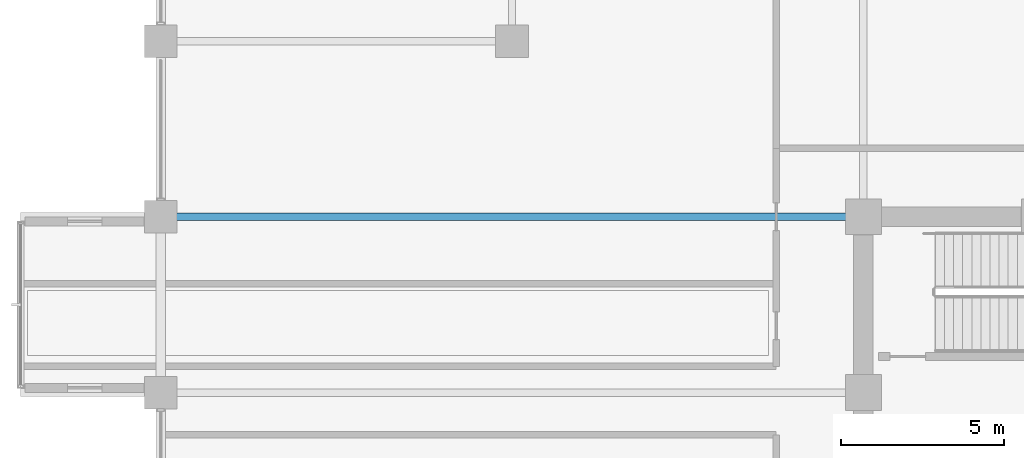
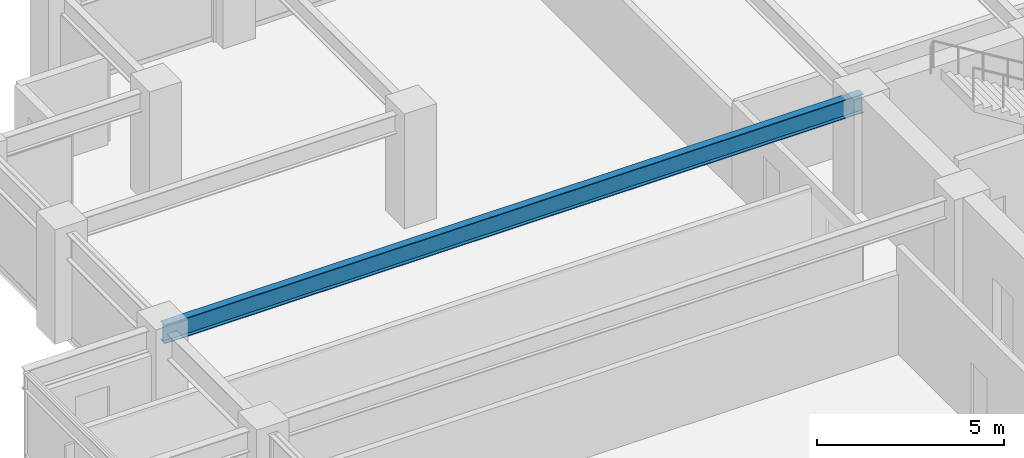
# One storey, part 11 of 29: 1 beam.
"""IFC4 building model written with IfcOpenShell, lengths in metres."""

from ifc_helpers import new_model, si_unit, direction, frame, origin, origin_2d, place, context, subcontext, project, spatial, i_section, extrude, material, material_profile, profile_set, type_object, element, save


model = new_model("IFC4")

# Units and contexts
model_context = context("Model", 3, precision=1e-05, world=origin(), true_north=direction((0.0, 1.0)))
body_context = subcontext(model_context, "Body", "Model", "MODEL_VIEW")
ifc_project = project(units=[si_unit("LENGTHUNIT", "METRE"), si_unit("AREAUNIT", "SQUARE_METRE"), si_unit("VOLUMEUNIT", "CUBIC_METRE"), si_unit("PLANEANGLEUNIT", "RADIAN"), si_unit("MASSUNIT", "GRAM", prefix="KILO")], contexts=[model_context])

# Site, building, storey
site_placement = place(None, origin())
site = spatial("IfcSite", under=ifc_project, at=site_placement, CompositionType="ELEMENT")
building_placement = place(site_placement, origin())
building = spatial("IfcBuilding", under=site, at=building_placement, Name="Surkhivell Harbour Commons", CompositionType="ELEMENT")
storey_placement = place(building_placement, frame((0.0, 0.0, 158.25)))
storey = spatial("IfcBuildingStorey", under=building, at=storey_placement, Name="L41", CompositionType="ELEMENT", Elevation=158.25)

# Beam
ifc_material = material(Name="Steel S355", Category="steel")
ifc_material_profile = material_profile(ifc_material, i_section(OverallWidth=0.22998046875, OverallDepth=0.616943359375, WebThickness=0.01318359375, FlangeThickness=0.022216796875, at=origin_2d()), Name="UB610x229x140")
ifc_profile_set = profile_set([ifc_material_profile], Name="Steel S355")
beam_type = type_object("IfcBeamType", Name="BM-GRD-610B", PredefinedType="BEAM", material=ifc_profile_set)
beam_placement = place(storey_placement, frame((-32.39990234375, 10.800048828125, 3.19140625), z_axis=(1.0, 0.0, 0.0), x_axis=(0.0, 1.0, 0.0)))
element("IfcBeam", 1, at=beam_placement, inside=storey, type_object=beam_type, Name="L41 Cantilever Back-Span Girder (-32.4,10.8)", PredefinedType="BEAM", context=body_context, shape_type="SweptSolid", body=[
    extrude(i_section(OverallWidth=0.22998046875, OverallDepth=0.616943359375, WebThickness=0.01318359375, FlangeThickness=0.022216796875, at=origin_2d()), origin(), (0.0, 0.0, 1.0), 21.599853515625),
])

save(model, "model.ifc")
